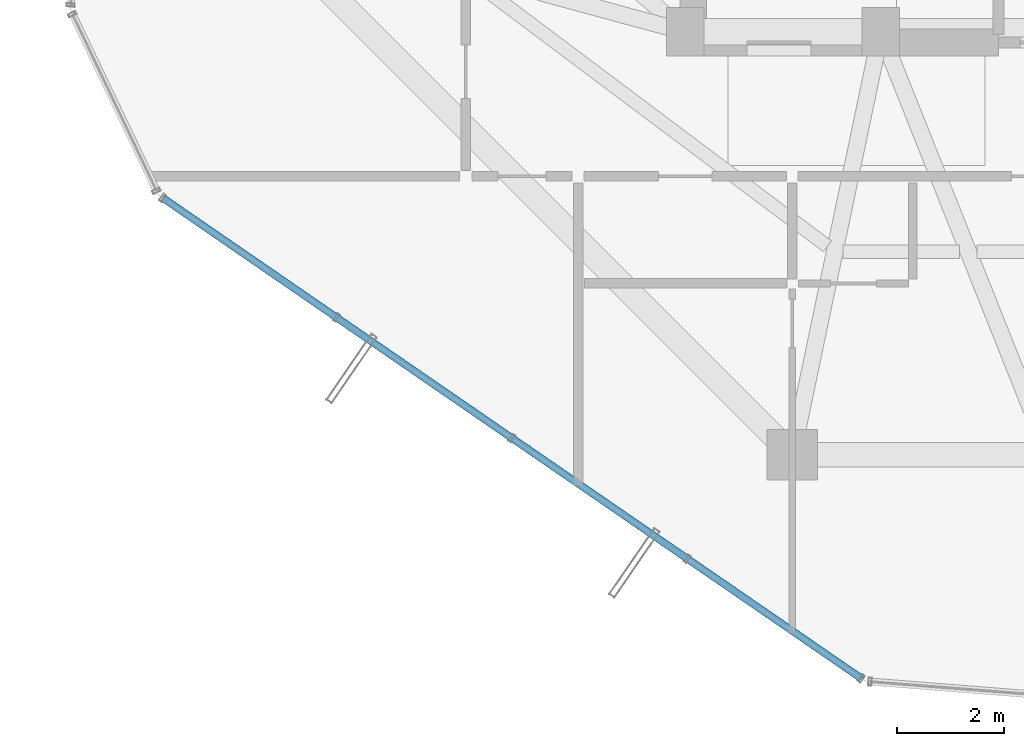
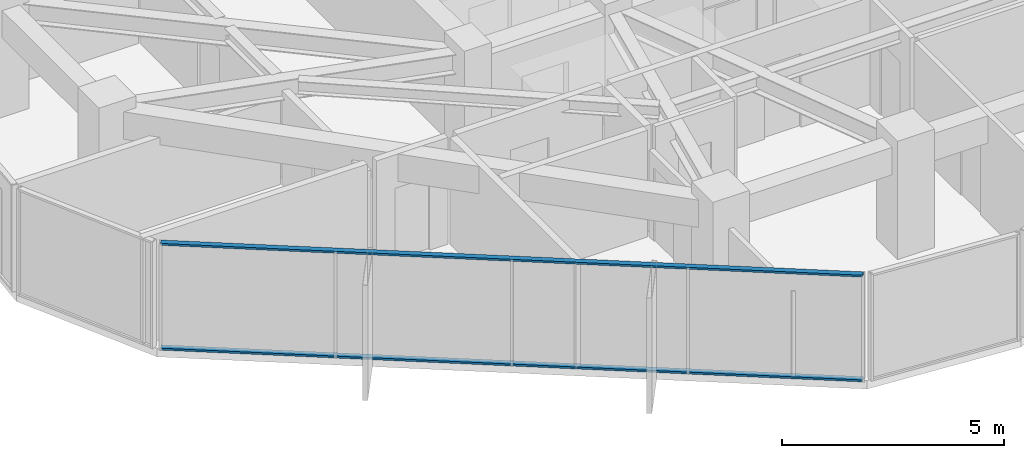
# One storey, part 3 of 29: 2 members, 1 element without a shape of its own.
"""IFC4 building model written with IfcOpenShell, lengths in metres."""

import ifcopenshell
import ifcopenshell.guid

model = None  # the IFC model being written
_history = None  # IfcOwnerHistory: only IFC2X3 demands one
_inside = {}  # id of a spatial element -> (the spatial element, [elements in it])
_under = {}  # id of a project, library or spatial element -> (it, [spatial elements below it])
_declared = {}  # id of a project -> (the project, [libraries it declares])
_typed = {}  # id of a type object -> (the type object, [elements of that type])
_made_of = {}  # id of a material, layer set ... -> (it, [elements and type objects made of it])


def new_model(schema):
    """Start an empty IFC model of exactly this schema.

    Asked for "IFC4X3", IfcOpenShell would pick the latest addendum, in which some entities
    have other attributes; the version numbers below select the first issue.
    IFC2X3 requires an IfcOwnerHistory on every rooted entity: one is made here for all.
    """
    global model, _history
    if schema == "IFC4X3":
        model = ifcopenshell.file(schema_version=(4, 3, 0, 0))
    else:
        model = ifcopenshell.file(schema=schema)
    _inside.clear()
    _under.clear()
    _declared.clear()
    _typed.clear()
    _made_of.clear()
    _history = None
    if model.schema == "IFC2X3":
        org = make("IfcOrganization", Name="unknown")
        user = make(
            "IfcPersonAndOrganization",
            ThePerson=make("IfcPerson", FamilyName="unknown"),
            TheOrganization=org,
        )
        app = make(
            "IfcApplication",
            ApplicationDeveloper=org,
            Version="unknown",
            ApplicationFullName="unknown",
            ApplicationIdentifier="unknown",
        )
        _history = make(
            "IfcOwnerHistory",
            OwningUser=user,
            OwningApplication=app,
            ChangeAction="ADDED",
            CreationDate=0,
        )
    return model


def make(cls, **values):
    """One entity of the class cls with the attributes given. An attribute that is None is left unset."""
    return model.create_entity(
        cls, **{name: value for name, value in values.items() if value is not None}
    )


def rooted(cls, **values):
    """An entity with a GlobalId (a new one), such as an element, a storey or a relation."""
    return make(cls, GlobalId=ifcopenshell.guid.new(), OwnerHistory=_history, **values)


def si_unit(unit_type, name, prefix=None):
    """IfcSIUnit, for example si_unit("LENGTHUNIT", "METRE", prefix="MILLI")."""
    return make("IfcSIUnit", UnitType=unit_type, Prefix=prefix, Name=name)


def assignment(units):
    """IfcUnitAssignment: the units of a project."""
    return None if units is None else make("IfcUnitAssignment", Units=units)


def point(xyz):
    """IfcCartesianPoint."""
    return None if xyz is None else make("IfcCartesianPoint", Coordinates=xyz)


def direction(xyz):
    """IfcDirection."""
    return None if xyz is None else make("IfcDirection", DirectionRatios=xyz)


def frame(location, z_axis=None, x_axis=None):
    """IfcAxis2Placement3D, a coordinate frame: its origin and axes. An axis left out is left unset."""
    return make(
        "IfcAxis2Placement3D",
        Location=point(location),
        Axis=direction(z_axis),
        RefDirection=direction(x_axis),
    )


def frame_2d(location, x_axis=None):
    """IfcAxis2Placement2D, a coordinate frame in the plane: its origin and x axis."""
    return make(
        "IfcAxis2Placement2D", Location=point(location), RefDirection=direction(x_axis)
    )


def origin():
    """The frame at (0, 0, 0) with its axes left unset."""
    return frame((0.0, 0.0, 0.0))


def origin_2d():
    """The frame at (0, 0) in the plane with its x axis left unset."""
    return frame_2d((0.0, 0.0))


def place(relative_to, where):
    """IfcLocalPlacement: puts the frame where relative to a parent placement (None: the world)."""
    return make(
        "IfcLocalPlacement", PlacementRelTo=relative_to, RelativePlacement=where
    )


def context(
    kind, dimensions, precision=None, world=None, true_north=None, identifier=None
):
    """IfcGeometricRepresentationContext, for example the 3D "Model" context."""
    return make(
        "IfcGeometricRepresentationContext",
        ContextIdentifier=identifier,
        ContextType=kind,
        CoordinateSpaceDimension=dimensions,
        Precision=precision,
        WorldCoordinateSystem=world,
        TrueNorth=true_north,
    )


def subcontext(parent, identifier, kind, view, scale=None):
    """IfcGeometricRepresentationSubContext, for example "Body" below "Model"."""
    return make(
        "IfcGeometricRepresentationSubContext",
        ContextIdentifier=identifier,
        ContextType=kind,
        ParentContext=parent,
        TargetScale=scale,
        TargetView=view,
    )


def project(units=None, contexts=None):
    """IfcProject with its units and contexts."""
    return rooted(
        "IfcProject",
        Name="project",
        RepresentationContexts=contexts,
        UnitsInContext=assignment(units),
    )


def spatial(cls, under=None, at=None, **own):
    """A site, building, storey or space (cls), placed at a placement, below another one or the project."""
    s = rooted(cls, ObjectPlacement=at, **own)
    if under is not None:
        _under.setdefault(under.id(), (under, []))[1].append(s)
    return s


def profile(cls, at=None, kind="AREA", **sizes):
    """A parametric profile (cls). Its sizes go by their IFC names, for example OverallWidth=200.0."""
    return make(cls, ProfileType=kind, Position=at, **sizes)


def hollow_rectangle(**sizes):
    """IfcRectangleHollowProfileDef."""
    return profile("IfcRectangleHollowProfileDef", **sizes)


def extrude(swept, where, along, depth):
    """IfcExtrudedAreaSolid: the profile swept, set in the frame where, extruded along a direction by depth."""
    return make(
        "IfcExtrudedAreaSolid",
        SweptArea=swept,
        Position=where,
        ExtrudedDirection=direction(along),
        Depth=depth,
    )


def shape(context_of_items, identifier, shape_type, items):
    """IfcShapeRepresentation: the items that make up one representation, for example the "Body"."""
    return make(
        "IfcShapeRepresentation",
        ContextOfItems=context_of_items,
        RepresentationIdentifier=identifier,
        RepresentationType=shape_type,
        Items=items,
    )


def source(mapping_origin, context_of_items, identifier, shape_type, items):
    """IfcRepresentationMap: a shape defined once, which mapped items show again and again."""
    return make(
        "IfcRepresentationMap",
        MappingOrigin=mapping_origin,
        MappedRepresentation=shape(context_of_items, identifier, shape_type, items),
    )


def transform(
    local_origin,
    x_axis=None,
    y_axis=None,
    z_axis=None,
    scale=None,
    scale2=None,
    scale3=None,
    uniform=True,
):
    """IfcCartesianTransformationOperator3D, or its non-uniform kind. x_axis, y_axis, z_axis: its Axis1, 2, 3."""
    if uniform:
        return make(
            "IfcCartesianTransformationOperator3D",
            Axis1=direction(x_axis),
            Axis2=direction(y_axis),
            LocalOrigin=point(local_origin),
            Scale=scale,
            Axis3=direction(z_axis),
        )
    return make(
        "IfcCartesianTransformationOperator3DnonUniform",
        Axis1=direction(x_axis),
        Axis2=direction(y_axis),
        LocalOrigin=point(local_origin),
        Scale=scale,
        Axis3=direction(z_axis),
        Scale2=scale2,
        Scale3=scale3,
    )


def mapped(mapping_source, mapping_target):
    """IfcMappedItem: shows the shape of a source again, moved by a transform."""
    return make(
        "IfcMappedItem", MappingSource=mapping_source, MappingTarget=mapping_target
    )


def material(Name=None, Category=None):
    """IfcMaterial."""
    return make("IfcMaterial", Name=Name, Category=Category)


def layer(
    of_material, thickness, ventilated=None, Name=None, Category=None, Priority=None
):
    """IfcMaterialLayer: one layer of a wall or slab, of a material (None: an air gap)."""
    return make(
        "IfcMaterialLayer",
        Material=of_material,
        LayerThickness=thickness,
        IsVentilated=ventilated,
        Name=Name,
        Category=Category,
        Priority=Priority,
    )


def layer_set(layers, Name=None):
    """IfcMaterialLayerSet."""
    return make("IfcMaterialLayerSet", MaterialLayers=layers, LayerSetName=Name)


def material_profile(
    of_material, cross_section, Name=None, Category=None, Priority=None
):
    """IfcMaterialProfile: a cross section and its material."""
    return make(
        "IfcMaterialProfile",
        Name=Name,
        Material=of_material,
        Profile=cross_section,
        Priority=Priority,
        Category=Category,
    )


def profile_set(profiles, Name=None, composite=None):
    """IfcMaterialProfileSet."""
    return make(
        "IfcMaterialProfileSet",
        Name=Name,
        MaterialProfiles=profiles,
        CompositeProfile=composite,
    )


def made_of(thing, what):
    """Note that an element or type object is made of a material, layer set ...; save() writes the relation."""
    if what is not None:
        _made_of.setdefault(what.id(), (what, []))[1].append(thing)
    return thing


def type_object(cls, material=None, **own):
    """A type object (cls), such as IfcWallType, which elements share."""
    return made_of(rooted(cls, **own), material)


def element(
    cls,
    number,
    at=None,
    inside=None,
    cuts=None,
    type_object=None,
    material=None,
    context=None,
    identifier="Body",
    shape_type=None,
    held_by="IfcProductDefinitionShape",
    body=None,
    shapes=None,
    **own,
):
    """One element of the class cls, such as IfcWall. Its Tag is "e" and its number.

    at: its placement. inside: the storey or other place that contains it. cuts: it is an
    opening in that element (IfcRelVoidsElement). A single representation is given by context,
    identifier, shape_type and body (its items); several are given by shapes. held_by: the class
    of the entity that holds the representations. save() writes the other relations.
    """
    e = rooted(cls, Tag="e%d" % number, ObjectPlacement=at, **own)
    if body is not None:
        shapes = [shape(context, identifier, shape_type, body)]
    if shapes is not None:
        e.Representation = make(held_by, Representations=shapes)
    if inside is not None:
        _inside.setdefault(inside.id(), (inside, []))[1].append(e)
    if cuts is not None:
        rooted(
            "IfcRelVoidsElement", RelatingBuildingElement=cuts, RelatedOpeningElement=e
        )
    if type_object is not None:
        _typed.setdefault(type_object.id(), (type_object, []))[1].append(e)
    return made_of(e, material)


def aggregate(whole, parts):
    """IfcRelAggregates: a whole, such as a stair, and the parts it consists of."""
    return rooted("IfcRelAggregates", RelatingObject=whole, RelatedObjects=parts)


def save(model, path):
    """Write the relations noted so far, then the file.

    IfcRelAggregates (storeys below a building ...), IfcRelContainedInSpatialStructure (elements
    in a storey), IfcRelDefinesByType, IfcRelAssociatesMaterial and IfcRelDeclares: one each for
    every whole, place, type object, material and project.
    """
    for whole, parts in _under.values():
        aggregate(whole, parts)
    for where, things in _inside.values():
        rooted(
            "IfcRelContainedInSpatialStructure",
            RelatedElements=things,
            RelatingStructure=where,
        )
    for kind, things in _typed.values():
        rooted("IfcRelDefinesByType", RelatedObjects=things, RelatingType=kind)
    for what, things in _made_of.values():
        rooted("IfcRelAssociatesMaterial", RelatedObjects=things, RelatingMaterial=what)
    for by, libraries in _declared.values():
        rooted("IfcRelDeclares", RelatingContext=by, RelatedDefinitions=libraries)
    model.write(path)


model = new_model("IFC4")

# Units and contexts
model_context = context("Model", 3, precision=1e-05, world=origin(), true_north=direction((0.0, 1.0)))
body_context = subcontext(model_context, "Body", "Model", "MODEL_VIEW")
ifc_project = project(units=[si_unit("LENGTHUNIT", "METRE"), si_unit("AREAUNIT", "SQUARE_METRE"), si_unit("VOLUMEUNIT", "CUBIC_METRE"), si_unit("PLANEANGLEUNIT", "RADIAN"), si_unit("MASSUNIT", "GRAM", prefix="KILO")], contexts=[model_context])

# Site, building, storey
site_placement = place(None, origin())
site = spatial("IfcSite", under=ifc_project, at=site_placement, CompositionType="ELEMENT")
building_placement = place(site_placement, origin())
building = spatial("IfcBuilding", under=site, at=building_placement, Name="Veraguas Prism Commons", CompositionType="ELEMENT")
storey_placement = place(building_placement, frame((0.0, 0.0, 222.14990234375)))
storey = spatial("IfcBuildingStorey", under=building, at=storey_placement, Name="L63", CompositionType="ELEMENT", Elevation=222.14990234375)

# Curtain wall, members
ifc_material = material(Name="Anodised aluminium EN AW-6063 T6", Category="aluminium")
ifc_layer = layer(ifc_material, 0.14990234375, Name="Unitised Flush Curtain Wall Zone 3", Category="aluminium")
ifc_layer_set = layer_set([ifc_layer], Name="Anodised aluminium EN AW-6063 T6")
curtain_wall_type = type_object("IfcCurtainWallType", Name="Unitised Flush Curtain Wall Zone 3", PredefinedType="NOTDEFINED", material=ifc_layer_set)
curtain_wall_placement = place(storey_placement, origin())
curtain_wall = element("IfcCurtainWall", 1, at=curtain_wall_placement, inside=storey, type_object=curtain_wall_type, Name="Tower Facade Curtain Wall L63-F4", PredefinedType="NOTDEFINED")
ifc_material_profile = material_profile(ifc_material, hollow_rectangle(XDim=0.054931640625, YDim=0.135009765625, WallThickness=0.0029296875, at=origin_2d()), Name="AL55X135X3")
ifc_profile_set = profile_set([ifc_material_profile], Name="Anodised aluminium EN AW-6063 T6")
member_type = type_object("IfcMemberType", Name="Curtain Wall Transom Standard AL 55x135x3", PredefinedType="USERDEFINED", material=ifc_profile_set)
shared_shape = source(origin(), body_context, "Body", "SweptSolid", [
    extrude(hollow_rectangle(XDim=0.054931640625, YDim=0.135009765625, WallThickness=0.0029296875, at=origin_2d()), origin(), (0.0, 0.0, 1.0), 15.84228515625),
])
member_1_placement = place(storey_placement, frame((7.437255859375, 13.89697265625, 0.027587890625), z_axis=(0.823928147051, -0.566694281334, 0.0), x_axis=(0.0, 0.0, 1.0)))
member_1 = element("IfcMember", 2, at=member_1_placement, type_object=member_type, Name="CW-Z3 Transom 1", ObjectType="TRANSOM", PredefinedType="USERDEFINED", context=body_context, shape_type="MappedRepresentation", body=[
    mapped(shared_shape, transform((0.0, 0.0, 0.0), scale=1.0)),
])
member_2_placement = place(storey_placement, frame((7.437255859375, 13.89697265625, 2.902587890625), z_axis=(0.823928147051, -0.566694281334, 0.0), x_axis=(0.0, 0.0, 1.0)))
member_2 = element("IfcMember", 3, at=member_2_placement, type_object=member_type, Name="CW-Z3 Transom 2", ObjectType="TRANSOM", PredefinedType="USERDEFINED", context=body_context, shape_type="MappedRepresentation", body=[
    mapped(shared_shape, transform((0.0, 0.0, 0.0), scale=1.0)),
])
aggregate(curtain_wall, [member_1, member_2])

save(model, "model.ifc")
